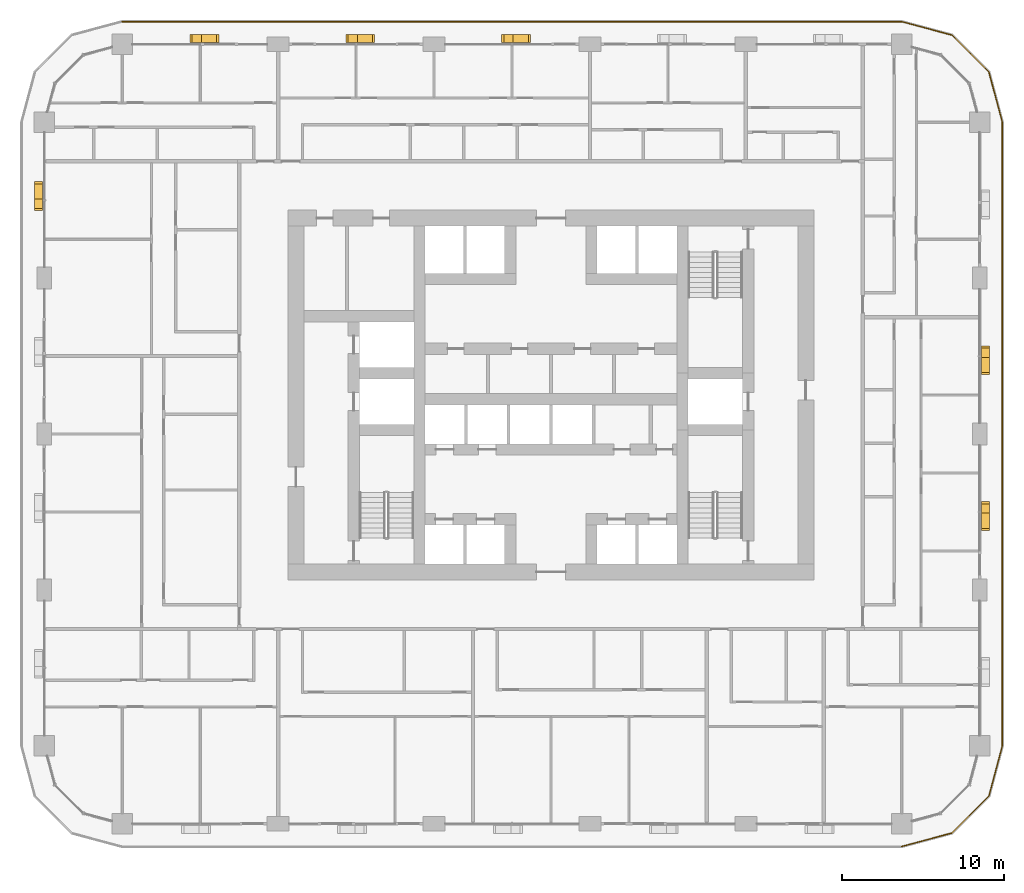
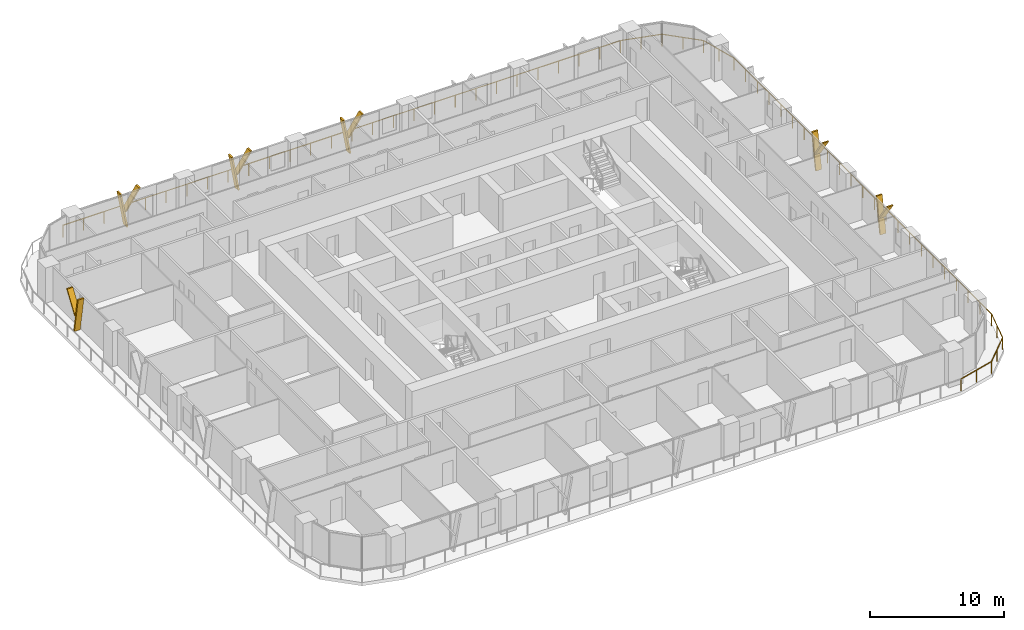
# One storey, part 20 of 21: 12 shading devices, 1 railing.
"""IFC4 building model written with IfcOpenShell, lengths in metres."""

from ifc_helpers import new_model, si_unit, direction, frame, origin, origin_2d, place, context, subcontext, project, spatial, polyline, circle, outline, extrude, material, type_object, element, save


model = new_model("IFC4")

# Units and contexts
model_context = context("Model", 3, precision=1e-05, world=origin(), true_north=direction((0.0, 1.0)))
body_context = subcontext(model_context, "Body", "Model", "MODEL_VIEW")
ifc_project = project(units=[si_unit("LENGTHUNIT", "METRE"), si_unit("AREAUNIT", "SQUARE_METRE"), si_unit("VOLUMEUNIT", "CUBIC_METRE"), si_unit("PLANEANGLEUNIT", "RADIAN"), si_unit("MASSUNIT", "GRAM", prefix="KILO")], contexts=[model_context])

# Site, building, storey
site_placement = place(None, origin())
site = spatial("IfcSite", under=ifc_project, at=site_placement, CompositionType="ELEMENT")
building_placement = place(site_placement, origin())
building = spatial("IfcBuilding", under=site, at=building_placement, Name="Madar Terraces", CompositionType="ELEMENT")
storey_placement = place(building_placement, frame((0.0, 0.0, 36.39990234375)))
storey = spatial("IfcBuildingStorey", under=building, at=storey_placement, Name="L08", CompositionType="ELEMENT", Elevation=36.39990234375)

# Railing
ifc_material_1 = material(Name="Glass, safety glazing, with stainless steel posts", Category="steel")
railing_type = type_object("IfcRailingType", Name="Balcony glass guard 1100", PredefinedType="GUARDRAIL", material=ifc_material_1)
railing_placement = place(storey_placement, frame((52.800048828125, -1.39990234375, 0.0)))
element("IfcRailing", 1, at=railing_placement, inside=storey, type_object=railing_type, Name="Balcony guard", PredefinedType="GUARDRAIL", context=body_context, shape_type="SweptSolid", body=[
    extrude(circle(Radius=0.02392578125, at=origin_2d()), frame((0.0, 0.0, 1.076171875), z_axis=(0.965928696102, 0.258808334578, 0.0), x_axis=(-0.258808334578, 0.965928696102, 0.0)), (0.0, 0.0, 1.0), 3.209228515625),
    extrude(circle(Radius=0.02392578125, at=origin_2d()), frame((3.099853515625, 0.83056640625, 1.076171875), z_axis=(0.707144815061, 0.707068745266, 0.0), x_axis=(-0.707068745266, 0.707144815061, 0.0)), (0.0, 0.0, 1.0), 3.20947265625),
    extrude(circle(Radius=0.02392578125, at=origin_2d()), frame((5.369384765625, 3.099853515625, 1.076171875), z_axis=(0.258789317819, 0.9659337912, 0.0), x_axis=(-0.9659337912, 0.258789317819, 0.0)), (0.0, 0.0, 1.0), 3.20947265625),
    extrude(circle(Radius=0.02392578125, at=origin_2d()), frame((6.199951171875, 6.199951171875, 1.076171875), z_axis=(0.0, 1.0, 0.0), x_axis=(-1.0, 0.0, 0.0)), (0.0, 0.0, 1.0), 38.39990234375),
    extrude(circle(Radius=0.02392578125, at=origin_2d()), frame((6.199951171875, 44.599853515625, 1.076171875), z_axis=(-0.258789317819, 0.9659337912, 0.0), x_axis=(-0.9659337912, -0.258789317819, 0.0)), (0.0, 0.0, 1.0), 3.20947265625),
    extrude(circle(Radius=0.02392578125, at=origin_2d()), frame((5.369384765625, 47.699951171875, 1.076171875), z_axis=(-0.707144815061, 0.707068745266, 0.0), x_axis=(-0.707068745266, -0.707144815061, 0.0)), (0.0, 0.0, 1.0), 3.20947265625),
    extrude(circle(Radius=0.02392578125, at=origin_2d()), frame((3.099853515625, 49.96923828125, 1.076171875), z_axis=(-0.965928696102, 0.258808334578, 0.0), x_axis=(-0.258808334578, -0.965928696102, 0.0)), (0.0, 0.0, 1.0), 3.209228515625),
    extrude(circle(Radius=0.02392578125, at=origin_2d()), frame((0.0, 50.7998046875, 1.076171875), z_axis=(-1.0, 0.0, 0.0), x_axis=(0.0, -1.0, 0.0)), (0.0, 0.0, 1.0), 48.0),
    extrude(circle(Radius=0.02099609375, at=origin_2d()), origin(), (0.0, 0.0, 1.0), 1.052001953125),
    extrude(circle(Radius=0.02099609375, at=origin_2d()), frame((1.5498046875, 0.415283203125, 0.0)), (0.0, 0.0, 1.0), 1.052001953125),
    extrude(circle(Radius=0.02099609375, at=origin_2d()), frame((3.099853515625, 0.83056640625, 0.0)), (0.0, 0.0, 1.0), 1.052001953125),
    extrude(circle(Radius=0.02099609375, at=origin_2d()), frame((4.234619140625, 1.96533203125, 0.0)), (0.0, 0.0, 1.0), 1.052001953125),
    extrude(circle(Radius=0.02099609375, at=origin_2d()), frame((5.369384765625, 3.099853515625, 0.0)), (0.0, 0.0, 1.0), 1.052001953125),
    extrude(circle(Radius=0.02099609375, at=origin_2d()), frame((5.78466796875, 4.64990234375, 0.0)), (0.0, 0.0, 1.0), 1.052001953125),
    extrude(circle(Radius=0.02099609375, at=origin_2d()), frame((6.199951171875, 6.199951171875, 0.0)), (0.0, 0.0, 1.0), 1.052001953125),
    extrude(circle(Radius=0.02099609375, at=origin_2d()), frame((6.199951171875, 7.9453125, 0.0)), (0.0, 0.0, 1.0), 1.052001953125),
    extrude(circle(Radius=0.02099609375, at=origin_2d()), frame((6.199951171875, 9.69091796875, 0.0)), (0.0, 0.0, 1.0), 1.052001953125),
    extrude(circle(Radius=0.02099609375, at=origin_2d()), frame((6.199951171875, 11.436279296875, 0.0)), (0.0, 0.0, 1.0), 1.052001953125),
    extrude(circle(Radius=0.02099609375, at=origin_2d()), frame((6.199951171875, 13.181640625, 0.0)), (0.0, 0.0, 1.0), 1.052001953125),
    extrude(circle(Radius=0.02099609375, at=origin_2d()), frame((6.199951171875, 14.92724609375, 0.0)), (0.0, 0.0, 1.0), 1.052001953125),
    extrude(circle(Radius=0.02099609375, at=origin_2d()), frame((6.199951171875, 16.672607421875, 0.0)), (0.0, 0.0, 1.0), 1.052001953125),
    extrude(circle(Radius=0.02099609375, at=origin_2d()), frame((6.199951171875, 18.418212890625, 0.0)), (0.0, 0.0, 1.0), 1.052001953125),
    extrude(circle(Radius=0.02099609375, at=origin_2d()), frame((6.199951171875, 20.16357421875, 0.0)), (0.0, 0.0, 1.0), 1.052001953125),
    extrude(circle(Radius=0.02099609375, at=origin_2d()), frame((6.199951171875, 21.908935546875, 0.0)), (0.0, 0.0, 1.0), 1.052001953125),
    extrude(circle(Radius=0.02099609375, at=origin_2d()), frame((6.199951171875, 23.654541015625, 0.0)), (0.0, 0.0, 1.0), 1.052001953125),
    extrude(circle(Radius=0.02099609375, at=origin_2d()), frame((6.199951171875, 25.39990234375, 0.0)), (0.0, 0.0, 1.0), 1.052001953125),
    extrude(circle(Radius=0.02099609375, at=origin_2d()), frame((6.199951171875, 27.145263671875, 0.0)), (0.0, 0.0, 1.0), 1.052001953125),
    extrude(circle(Radius=0.02099609375, at=origin_2d()), frame((6.199951171875, 28.890869140625, 0.0)), (0.0, 0.0, 1.0), 1.052001953125),
    extrude(circle(Radius=0.02099609375, at=origin_2d()), frame((6.199951171875, 30.63623046875, 0.0)), (0.0, 0.0, 1.0), 1.052001953125),
    extrude(circle(Radius=0.02099609375, at=origin_2d()), frame((6.199951171875, 32.381591796875, 0.0)), (0.0, 0.0, 1.0), 1.052001953125),
    extrude(circle(Radius=0.02099609375, at=origin_2d()), frame((6.199951171875, 34.127197265625, 0.0)), (0.0, 0.0, 1.0), 1.052001953125),
    extrude(circle(Radius=0.02099609375, at=origin_2d()), frame((6.199951171875, 35.87255859375, 0.0)), (0.0, 0.0, 1.0), 1.052001953125),
    extrude(circle(Radius=0.02099609375, at=origin_2d()), frame((6.199951171875, 37.6181640625, 0.0)), (0.0, 0.0, 1.0), 1.052001953125),
    extrude(circle(Radius=0.02099609375, at=origin_2d()), frame((6.199951171875, 39.363525390625, 0.0)), (0.0, 0.0, 1.0), 1.052001953125),
    extrude(circle(Radius=0.02099609375, at=origin_2d()), frame((6.199951171875, 41.10888671875, 0.0)), (0.0, 0.0, 1.0), 1.052001953125),
    extrude(circle(Radius=0.02099609375, at=origin_2d()), frame((6.199951171875, 42.8544921875, 0.0)), (0.0, 0.0, 1.0), 1.052001953125),
    extrude(circle(Radius=0.02099609375, at=origin_2d()), frame((6.199951171875, 44.599853515625, 0.0)), (0.0, 0.0, 1.0), 1.052001953125),
    extrude(circle(Radius=0.02099609375, at=origin_2d()), frame((5.78466796875, 46.14990234375, 0.0)), (0.0, 0.0, 1.0), 1.052001953125),
    extrude(circle(Radius=0.02099609375, at=origin_2d()), frame((5.369384765625, 47.699951171875, 0.0)), (0.0, 0.0, 1.0), 1.052001953125),
    extrude(circle(Radius=0.02099609375, at=origin_2d()), frame((4.234619140625, 48.83447265625, 0.0)), (0.0, 0.0, 1.0), 1.052001953125),
    extrude(circle(Radius=0.02099609375, at=origin_2d()), frame((3.099853515625, 49.96923828125, 0.0)), (0.0, 0.0, 1.0), 1.052001953125),
    extrude(circle(Radius=0.02099609375, at=origin_2d()), frame((1.5498046875, 50.384521484375, 0.0)), (0.0, 0.0, 1.0), 1.052001953125),
    extrude(circle(Radius=0.02099609375, at=origin_2d()), frame((0.0, 50.7998046875, 0.0)), (0.0, 0.0, 1.0), 1.052001953125),
    extrude(circle(Radius=0.02099609375, at=origin_2d()), frame((-1.77783203125, 50.7998046875, 0.0)), (0.0, 0.0, 1.0), 1.052001953125),
    extrude(circle(Radius=0.02099609375, at=origin_2d()), frame((-3.5556640625, 50.7998046875, 0.0)), (0.0, 0.0, 1.0), 1.052001953125),
    extrude(circle(Radius=0.02099609375, at=origin_2d()), frame((-5.333251953125, 50.7998046875, 0.0)), (0.0, 0.0, 1.0), 1.052001953125),
    extrude(circle(Radius=0.02099609375, at=origin_2d()), frame((-7.111083984375, 50.7998046875, 0.0)), (0.0, 0.0, 1.0), 1.052001953125),
    extrude(circle(Radius=0.02099609375, at=origin_2d()), frame((-8.888916015625, 50.7998046875, 0.0)), (0.0, 0.0, 1.0), 1.052001953125),
    extrude(circle(Radius=0.02099609375, at=origin_2d()), frame((-10.666748046875, 50.7998046875, 0.0)), (0.0, 0.0, 1.0), 1.052001953125),
    extrude(circle(Radius=0.02099609375, at=origin_2d()), frame((-12.4443359375, 50.7998046875, 0.0)), (0.0, 0.0, 1.0), 1.052001953125),
    extrude(circle(Radius=0.02099609375, at=origin_2d()), frame((-14.22216796875, 50.7998046875, 0.0)), (0.0, 0.0, 1.0), 1.052001953125),
    extrude(circle(Radius=0.02099609375, at=origin_2d()), frame((-16.0, 50.7998046875, 0.0)), (0.0, 0.0, 1.0), 1.052001953125),
    extrude(circle(Radius=0.02099609375, at=origin_2d()), frame((-17.77783203125, 50.7998046875, 0.0)), (0.0, 0.0, 1.0), 1.052001953125),
    extrude(circle(Radius=0.02099609375, at=origin_2d()), frame((-19.5556640625, 50.7998046875, 0.0)), (0.0, 0.0, 1.0), 1.052001953125),
    extrude(circle(Radius=0.02099609375, at=origin_2d()), frame((-21.333251953125, 50.7998046875, 0.0)), (0.0, 0.0, 1.0), 1.052001953125),
    extrude(circle(Radius=0.02099609375, at=origin_2d()), frame((-23.111083984375, 50.7998046875, 0.0)), (0.0, 0.0, 1.0), 1.052001953125),
    extrude(circle(Radius=0.02099609375, at=origin_2d()), frame((-24.888916015625, 50.7998046875, 0.0)), (0.0, 0.0, 1.0), 1.052001953125),
    extrude(circle(Radius=0.02099609375, at=origin_2d()), frame((-26.666748046875, 50.7998046875, 0.0)), (0.0, 0.0, 1.0), 1.052001953125),
    extrude(circle(Radius=0.02099609375, at=origin_2d()), frame((-28.4443359375, 50.7998046875, 0.0)), (0.0, 0.0, 1.0), 1.052001953125),
    extrude(circle(Radius=0.02099609375, at=origin_2d()), frame((-30.22216796875, 50.7998046875, 0.0)), (0.0, 0.0, 1.0), 1.052001953125),
    extrude(circle(Radius=0.02099609375, at=origin_2d()), frame((-32.0, 50.7998046875, 0.0)), (0.0, 0.0, 1.0), 1.052001953125),
    extrude(circle(Radius=0.02099609375, at=origin_2d()), frame((-33.77783203125, 50.7998046875, 0.0)), (0.0, 0.0, 1.0), 1.052001953125),
    extrude(circle(Radius=0.02099609375, at=origin_2d()), frame((-35.5556640625, 50.7998046875, 0.0)), (0.0, 0.0, 1.0), 1.052001953125),
    extrude(circle(Radius=0.02099609375, at=origin_2d()), frame((-37.333251953125, 50.7998046875, 0.0)), (0.0, 0.0, 1.0), 1.052001953125),
    extrude(circle(Radius=0.02099609375, at=origin_2d()), frame((-39.111083984375, 50.7998046875, 0.0)), (0.0, 0.0, 1.0), 1.052001953125),
    extrude(circle(Radius=0.02099609375, at=origin_2d()), frame((-40.888916015625, 50.7998046875, 0.0)), (0.0, 0.0, 1.0), 1.052001953125),
    extrude(circle(Radius=0.02099609375, at=origin_2d()), frame((-42.666748046875, 50.7998046875, 0.0)), (0.0, 0.0, 1.0), 1.052001953125),
    extrude(circle(Radius=0.02099609375, at=origin_2d()), frame((-44.4443359375, 50.7998046875, 0.0)), (0.0, 0.0, 1.0), 1.052001953125),
    extrude(circle(Radius=0.02099609375, at=origin_2d()), frame((-46.22216796875, 50.7998046875, 0.0)), (0.0, 0.0, 1.0), 1.052001953125),
    extrude(circle(Radius=0.02099609375, at=origin_2d()), frame((-48.0, 50.7998046875, 0.0)), (0.0, 0.0, 1.0), 1.052001953125),
])

# Shading devices
ifc_material_2 = material(Name="Aluminium, black anodised", Category="aluminium")
shading_device_type = type_object("IfcShadingDeviceType", Name="Facade fin blade 140 x 500", PredefinedType="USERDEFINED", material=ifc_material_2)
shading_device_1_placement = place(storey_placement, frame((57.949951171875, 19.1298828125, 0.0), z_axis=(0.0, 0.0, 1.0), x_axis=(0.0, 1.0, 0.0)))
element("IfcShadingDevice", 2, at=shading_device_1_placement, inside=storey, type_object=shading_device_type, Name="FIN L08 E2", ObjectType="FIN", PredefinedType="USERDEFINED", context=body_context, shape_type="SweptSolid", body=[
    extrude(outline(polyline([(0.0, 0.0), (0.14013671875, 0.0), (0.704345703125, 3.2001953125), (0.564208984375, 3.2001953125), (0.0, 0.0)])), frame((0.0, 0.25, 0.0), z_axis=(0.0, -1.0, 0.0), x_axis=(1.0, 0.0, 0.0)), (0.0, 0.0, 1.0), 0.5),
])
shading_device_2_placement = place(storey_placement, frame((57.949951171875, 19.243896484375, 1.440185546875), z_axis=(0.0, 0.0, 1.0), x_axis=(0.0, 1.0, 0.0)))
element("IfcShadingDevice", 3, at=shading_device_2_placement, inside=storey, type_object=shading_device_type, Name="FIN L08 E2 branch", ObjectType="FIN", PredefinedType="USERDEFINED", context=body_context, shape_type="SweptSolid", body=[
    extrude(outline(polyline([(0.0, 0.0), (0.139892578125, 0.0), (-1.049560546875, 1.760009765625), (-1.189697265625, 1.760009765625), (0.0, 0.0)])), frame((0.0, 0.25, 0.0), z_axis=(0.0, -1.0, 0.0), x_axis=(1.0, 0.0, 0.0)), (0.0, 0.0, 1.0), 0.5),
])
shading_device_3_placement = place(storey_placement, frame((57.949951171875, 28.72998046875, 0.0), z_axis=(0.0, 0.0, 1.0), x_axis=(0.0, 1.0, 0.0)))
element("IfcShadingDevice", 4, at=shading_device_3_placement, inside=storey, type_object=shading_device_type, Name="FIN L08 E3", ObjectType="FIN", PredefinedType="USERDEFINED", context=body_context, shape_type="SweptSolid", body=[
    extrude(outline(polyline([(0.0, 0.0), (0.14013671875, 0.0), (0.704345703125, 3.2001953125), (0.564208984375, 3.2001953125), (0.0, 0.0)])), frame((0.0, 0.25, 0.0), z_axis=(0.0, -1.0, 0.0), x_axis=(1.0, 0.0, 0.0)), (0.0, 0.0, 1.0), 0.5),
])
shading_device_4_placement = place(storey_placement, frame((57.949951171875, 28.843994140625, 1.440185546875), z_axis=(0.0, 0.0, 1.0), x_axis=(0.0, 1.0, 0.0)))
element("IfcShadingDevice", 5, at=shading_device_4_placement, inside=storey, type_object=shading_device_type, Name="FIN L08 E3 branch", ObjectType="FIN", PredefinedType="USERDEFINED", context=body_context, shape_type="SweptSolid", body=[
    extrude(outline(polyline([(0.0, 0.0), (0.139892578125, 0.0), (-1.049560546875, 1.760009765625), (-1.189697265625, 1.760009765625), (0.0, 0.0)])), frame((0.0, 0.25, 0.0), z_axis=(0.0, -1.0, 0.0), x_axis=(1.0, 0.0, 0.0)), (0.0, 0.0, 1.0), 0.5),
])
shading_device_5_placement = place(storey_placement, frame((28.8701171875, 48.35009765625, 0.0), z_axis=(0.0, 0.0, 1.0), x_axis=(-1.0, 0.0, 0.0)))
element("IfcShadingDevice", 6, at=shading_device_5_placement, inside=storey, type_object=shading_device_type, Name="FIN L08 N3", ObjectType="FIN", PredefinedType="USERDEFINED", context=body_context, shape_type="SweptSolid", body=[
    extrude(outline(polyline([(0.0, 0.0), (0.14013671875, 0.0), (0.704345703125, 3.2001953125), (0.564208984375, 3.2001953125), (0.0, 0.0)])), frame((0.0, 0.25, 0.0), z_axis=(0.0, -1.0, 0.0), x_axis=(1.0, 0.0, 0.0)), (0.0, 0.0, 1.0), 0.5),
])
shading_device_6_placement = place(storey_placement, frame((28.756103515625, 48.35009765625, 1.440185546875), z_axis=(0.0, 0.0, 1.0), x_axis=(-1.0, 0.0, 0.0)))
element("IfcShadingDevice", 7, at=shading_device_6_placement, inside=storey, type_object=shading_device_type, Name="FIN L08 N3 branch", ObjectType="FIN", PredefinedType="USERDEFINED", context=body_context, shape_type="SweptSolid", body=[
    extrude(outline(polyline([(0.0, 0.0), (0.139892578125, 0.0), (-1.049560546875, 1.760009765625), (-1.189697265625, 1.760009765625), (0.0, 0.0)])), frame((0.0, 0.25, 0.0), z_axis=(0.0, -1.0, 0.0), x_axis=(1.0, 0.0, 0.0)), (0.0, 0.0, 1.0), 0.5),
])
shading_device_7_placement = place(storey_placement, frame((19.27001953125, 48.35009765625, 0.0), z_axis=(0.0, 0.0, 1.0), x_axis=(-1.0, 0.0, 0.0)))
element("IfcShadingDevice", 8, at=shading_device_7_placement, inside=storey, type_object=shading_device_type, Name="FIN L08 N4", ObjectType="FIN", PredefinedType="USERDEFINED", context=body_context, shape_type="SweptSolid", body=[
    extrude(outline(polyline([(0.0, 0.0), (0.14013671875, 0.0), (0.704345703125, 3.2001953125), (0.564208984375, 3.2001953125), (0.0, 0.0)])), frame((0.0, 0.25, 0.0), z_axis=(0.0, -1.0, 0.0), x_axis=(1.0, 0.0, 0.0)), (0.0, 0.0, 1.0), 0.5),
])
shading_device_8_placement = place(storey_placement, frame((19.156005859375, 48.35009765625, 1.440185546875), z_axis=(0.0, 0.0, 1.0), x_axis=(-1.0, 0.0, 0.0)))
element("IfcShadingDevice", 9, at=shading_device_8_placement, inside=storey, type_object=shading_device_type, Name="FIN L08 N4 branch", ObjectType="FIN", PredefinedType="USERDEFINED", context=body_context, shape_type="SweptSolid", body=[
    extrude(outline(polyline([(0.0, 0.0), (0.139892578125, 0.0), (-1.049560546875, 1.760009765625), (-1.189697265625, 1.760009765625), (0.0, 0.0)])), frame((0.0, 0.25, 0.0), z_axis=(0.0, -1.0, 0.0), x_axis=(1.0, 0.0, 0.0)), (0.0, 0.0, 1.0), 0.5),
])
shading_device_9_placement = place(storey_placement, frame((9.669921875, 48.35009765625, 0.0), z_axis=(0.0, 0.0, 1.0), x_axis=(-1.0, 0.0, 0.0)))
element("IfcShadingDevice", 10, at=shading_device_9_placement, inside=storey, type_object=shading_device_type, Name="FIN L08 N5", ObjectType="FIN", PredefinedType="USERDEFINED", context=body_context, shape_type="SweptSolid", body=[
    extrude(outline(polyline([(0.0, 0.0), (0.139892578125, 0.0), (0.704345703125, 3.2001953125), (0.564208984375, 3.2001953125), (0.0, 0.0)])), frame((0.0, 0.25, 0.0), z_axis=(0.0, -1.0, 0.0), x_axis=(1.0, 0.0, 0.0)), (0.0, 0.0, 1.0), 0.5),
])
shading_device_10_placement = place(storey_placement, frame((9.55615234375, 48.35009765625, 1.440185546875), z_axis=(0.0, 0.0, 1.0), x_axis=(-1.0, 0.0, 0.0)))
element("IfcShadingDevice", 11, at=shading_device_10_placement, inside=storey, type_object=shading_device_type, Name="FIN L08 N5 branch", ObjectType="FIN", PredefinedType="USERDEFINED", context=body_context, shape_type="SweptSolid", body=[
    extrude(outline(polyline([(0.0, 0.0), (0.14013671875, 0.0), (-1.049560546875, 1.760009765625), (-1.189697265625, 1.760009765625), (0.0, 0.0)])), frame((0.0, 0.25, 0.0), z_axis=(0.0, -1.0, 0.0), x_axis=(1.0, 0.0, 0.0)), (0.0, 0.0, 1.0), 0.5),
])
shading_device_11_placement = place(storey_placement, frame((-0.35009765625, 38.469970703125, 0.0), z_axis=(0.0, 0.0, 1.0), x_axis=(0.0, -1.0, 0.0)))
element("IfcShadingDevice", 12, at=shading_device_11_placement, inside=storey, type_object=shading_device_type, Name="FIN L08 W1", ObjectType="FIN", PredefinedType="USERDEFINED", context=body_context, shape_type="SweptSolid", body=[
    extrude(outline(polyline([(0.0, 0.0), (0.139892578125, 0.0), (0.704345703125, 3.2001953125), (0.564208984375, 3.2001953125), (0.0, 0.0)])), frame((0.0, 0.25, 0.0), z_axis=(0.0, -1.0, 0.0), x_axis=(1.0, 0.0, 0.0)), (0.0, 0.0, 1.0), 0.5),
])
shading_device_12_placement = place(storey_placement, frame((-0.35009765625, 38.356201171875, 1.440185546875), z_axis=(0.0, 0.0, 1.0), x_axis=(0.0, -1.0, 0.0)))
element("IfcShadingDevice", 13, at=shading_device_12_placement, inside=storey, type_object=shading_device_type, Name="FIN L08 W1 branch", ObjectType="FIN", PredefinedType="USERDEFINED", context=body_context, shape_type="SweptSolid", body=[
    extrude(outline(polyline([(0.0, 0.0), (0.14013671875, 0.0), (-1.049560546875, 1.760009765625), (-1.189697265625, 1.760009765625), (0.0, 0.0)])), frame((0.0, 0.25, 0.0), z_axis=(0.0, -1.0, 0.0), x_axis=(1.0, 0.0, 0.0)), (0.0, 0.0, 1.0), 0.5),
])

save(model, "model.ifc")
